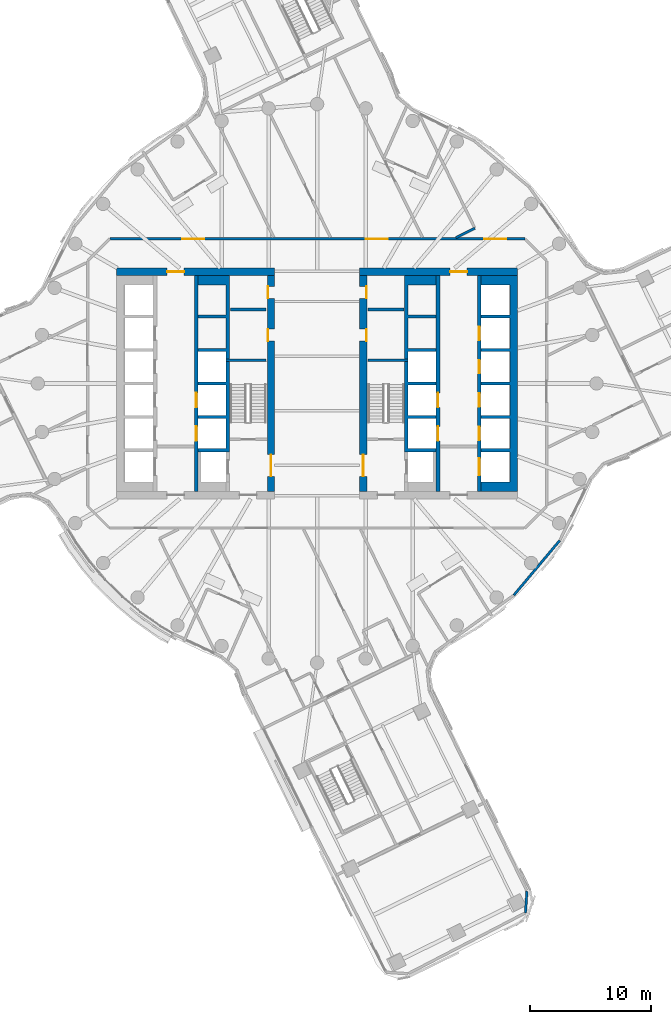
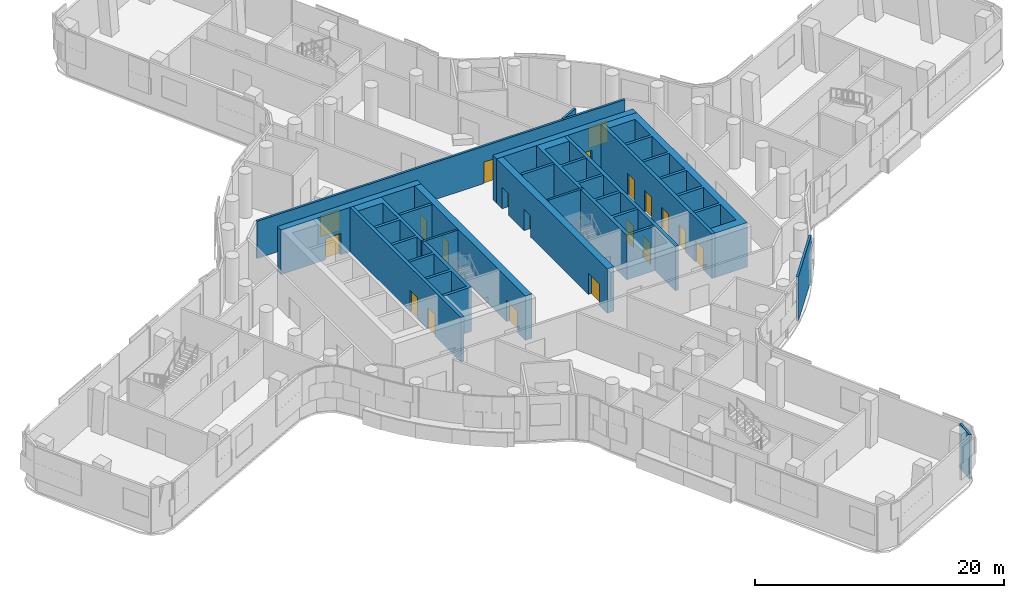
# One storey, part 13 of 23: 20 doors, 18 walls, 20 openings.
"""IFC4 building model written with IfcOpenShell, lengths in metres."""

from ifc_helpers import new_model, si_unit, direction, frame, frame_2d, origin, place, context, subcontext, project, spatial, polyline, rectangle, outline, extrude, material, layer, layer_set, type_object, element, fill, save


model = new_model("IFC4")

# Units and contexts
model_context = context("Model", 3, precision=1e-05, world=origin(), true_north=direction((0.0, 1.0)))
body_context = subcontext(model_context, "Body", "Model", "MODEL_VIEW")
ifc_project = project(units=[si_unit("LENGTHUNIT", "METRE"), si_unit("AREAUNIT", "SQUARE_METRE"), si_unit("VOLUMEUNIT", "CUBIC_METRE"), si_unit("PLANEANGLEUNIT", "RADIAN"), si_unit("MASSUNIT", "GRAM", prefix="KILO")], contexts=[model_context])

# Site, building, storey
site_placement = place(None, origin())
site = spatial("IfcSite", under=ifc_project, at=site_placement, CompositionType="ELEMENT")
building_placement = place(site_placement, origin())
building = spatial("IfcBuilding", under=site, at=building_placement, Name="Tamarind Cross Interchange Tower", CompositionType="ELEMENT")
storey_placement = place(building_placement, frame((0.0, 0.0, 128.5)))
storey = spatial("IfcBuildingStorey", under=building, at=storey_placement, Name="L31", CompositionType="ELEMENT", Elevation=128.5)

# Wall, opening, door
ifc_material_1 = material(Name="Concrete C70", Category="concrete")
ifc_layer_1 = layer(ifc_material_1, 0.60009765625)
ifc_layer_set_1 = layer_set([ifc_layer_1], Name="Concrete C70")
wall_type_1 = type_object("IfcWallType", Name="Core wall 600 mm Concrete C70", PredefinedType="SHEAR", material=ifc_layer_set_1)
wall_1_placement = place(storey_placement, frame((-16.5, 9.199951171875, 0.0), z_axis=(0.0, 0.0, 1.0), x_axis=(1.0, 0.0, 0.0)))
wall_1 = element("IfcWall", 1, at=wall_1_placement, inside=storey, type_object=wall_type_1, Name="Core wall CWL-L31-W-NE", PredefinedType="SHEAR", context=body_context, shape_type="SweptSolid", body=[
    extrude(rectangle(XDim=13.0, YDim=0.60009765625, at=frame_2d((6.5, 0.0))), origin(), (0.0, 0.0, 1.0), 4.360107421875),
])
opening_1_placement = place(wall_1_placement, frame((4.14990234375, 0.0, 0.0)))
opening_1 = element("IfcOpeningElement", 2, at=opening_1_placement, cuts=wall_1, Name="Opening DCW31", PredefinedType="OPENING", context=body_context, shape_type="SweptSolid", body=[
    extrude(rectangle(XDim=1.39990234375, YDim=2.10009765625, at=frame_2d((0.699951171875, 1.050048828125))), frame((0.0, 0.31005859375, 0.0), z_axis=(0.0, -1.0, 0.0), x_axis=(1.0, 0.0, 0.0)), (0.0, 0.0, 1.0), 0.6201171875),
])
ifc_material_2 = material(Name="Steel, fire-resisting", Category="steel")
door_type_1 = type_object("IfcDoorType", Name="Core fire door 1400 x 2100 FD90", OperationType="SINGLE_SWING_LEFT", PredefinedType="DOOR", material=ifc_material_2)
door_1_placement = place(opening_1_placement, origin())
door_1 = element("IfcDoor", 3, at=door_1_placement, inside=storey, type_object=door_type_1, Name="L31 lift hall exit door", OperationType="SINGLE_SWING_LEFT", OverallHeight=2.10009765625, OverallWidth=1.39990234375, PredefinedType="DOOR", context=body_context, shape_type="SweptSolid", body=[
    extrude(rectangle(XDim=1.39990234375, YDim=2.10009765625, at=frame_2d((0.699951171875, 1.050048828125))), frame((0.0, 0.02490234375, 0.0), z_axis=(0.0, -1.0, 0.0), x_axis=(1.0, 0.0, 0.0)), (0.0, 0.0, 1.0), 0.050048828125),
])
fill(opening_1, door_1)

# Wall, openings, doors
wall_2_placement = place(storey_placement, frame((-3.800048828125, -8.89990234375, 0.0), z_axis=(0.0, 0.0, 1.0), x_axis=(0.0, 1.0, 0.0)))
wall_2 = element("IfcWall", 4, at=wall_2_placement, inside=storey, type_object=wall_type_1, Name="Core wall CWL-L31-W-IN", PredefinedType="SHEAR", context=body_context, shape_type="SweptSolid", body=[
    extrude(rectangle(XDim=17.7998046875, YDim=0.60009765625, at=frame_2d((8.89990234375, 0.0))), origin(), (0.0, 0.0, 1.0), 4.360107421875),
])
opening_2_placement = place(wall_2_placement, frame((1.25, 0.0, 0.0)))
opening_2 = element("IfcOpeningElement", 5, at=opening_2_placement, cuts=wall_2, Name="Opening DCW4", PredefinedType="OPENING", context=body_context, shape_type="SweptSolid", body=[
    extrude(rectangle(XDim=1.800048828125, YDim=2.10009765625, at=frame_2d((0.89990234375, 1.050048828125))), frame((0.0, 0.31005859375, 0.0), z_axis=(0.0, -1.0, 0.0), x_axis=(1.0, 0.0, 0.0)), (0.0, 0.0, 1.0), 0.6201171875),
])
opening_3_placement = place(wall_2_placement, frame((12.37744140625, 0.0, 0.0)))
opening_3 = element("IfcOpeningElement", 6, at=opening_3_placement, cuts=wall_2, Name="Opening DCW5", PredefinedType="OPENING", context=body_context, shape_type="SweptSolid", body=[
    extrude(rectangle(XDim=1.0, YDim=2.10009765625, at=frame_2d((0.5, 1.050048828125))), frame((0.0, 0.31005859375, 0.0), z_axis=(0.0, -1.0, 0.0), x_axis=(1.0, 0.0, 0.0)), (0.0, 0.0, 1.0), 0.6201171875),
])
opening_4_placement = place(wall_2_placement, frame((15.902587890625, 0.0, 0.0)))
opening_4 = element("IfcOpeningElement", 7, at=opening_4_placement, cuts=wall_2, Name="Opening DCW5", PredefinedType="OPENING", context=body_context, shape_type="SweptSolid", body=[
    extrude(rectangle(XDim=1.0, YDim=2.10009765625, at=frame_2d((0.5, 1.050048828125))), frame((0.0, 0.31005859375, 0.0), z_axis=(0.0, -1.0, 0.0), x_axis=(1.0, 0.0, 0.0)), (0.0, 0.0, 1.0), 0.6201171875),
])
door_type_2 = type_object("IfcDoorType", Name="Core fire door 1000 x 2100 FD90", OperationType="SINGLE_SWING_LEFT", PredefinedType="DOOR", material=ifc_material_2)
door_2_placement = place(opening_3_placement, origin())
door_2 = element("IfcDoor", 8, at=door_2_placement, inside=storey, type_object=door_type_2, Name="L31 cleaner's store door", OperationType="SINGLE_SWING_LEFT", OverallHeight=2.10009765625, OverallWidth=1.0, PredefinedType="DOOR", context=body_context, shape_type="SweptSolid", body=[
    extrude(rectangle(XDim=1.0, YDim=2.10009765625, at=frame_2d((0.5, 1.050048828125))), frame((0.0, 0.27490234375, 0.0), z_axis=(0.0, -1.0, 0.0), x_axis=(1.0, 0.0, 0.0)), (0.0, 0.0, 1.0), 0.050048828125),
])
fill(opening_3, door_2)
door_3_placement = place(opening_4_placement, origin())
door_3 = element("IfcDoor", 9, at=door_3_placement, inside=storey, type_object=door_type_2, Name="L31 comms room door", OperationType="SINGLE_SWING_LEFT", OverallHeight=2.10009765625, OverallWidth=1.0, PredefinedType="DOOR", context=body_context, shape_type="SweptSolid", body=[
    extrude(rectangle(XDim=1.0, YDim=2.10009765625, at=frame_2d((0.5, 1.050048828125))), frame((0.0, 0.27490234375, 0.0), z_axis=(0.0, -1.0, 0.0), x_axis=(1.0, 0.0, 0.0)), (0.0, 0.0, 1.0), 0.050048828125),
])
fill(opening_4, door_3)
door_type_3 = type_object("IfcDoorType", Name="Core fire door 1800 x 2100 FD90", OperationType="SINGLE_SWING_LEFT", PredefinedType="DOOR", material=ifc_material_2)
door_4_placement = place(opening_2_placement, origin())
door_4 = element("IfcDoor", 10, at=door_4_placement, inside=storey, type_object=door_type_3, Name="L31 firefighting lobby door", OperationType="SINGLE_SWING_LEFT", OverallHeight=2.10009765625, OverallWidth=1.800048828125, PredefinedType="DOOR", context=body_context, shape_type="SweptSolid", body=[
    extrude(rectangle(XDim=1.800048828125, YDim=2.10009765625, at=frame_2d((0.89990234375, 1.050048828125))), frame((0.0, 0.02490234375, 0.0), z_axis=(0.0, -1.0, 0.0), x_axis=(1.0, 0.0, 0.0)), (0.0, 0.0, 1.0), 0.050048828125),
])
fill(opening_2, door_4)

# Wall
wall_3_placement = place(storey_placement, origin())
element("IfcWall", 11, at=wall_3_placement, inside=storey, type_object=wall_type_1, Name="Core wall CWL-L31-E-A", PredefinedType="SHEAR", context=body_context, shape_type="SweptSolid", body=[
    extrude(outline(polyline([(13.5, -8.89990234375), (15.89990234375, -8.89990234375), (16.5, -8.89990234375), (16.5, 8.89990234375), (15.89990234375, 8.89990234375), (13.5, 8.89990234375), (13.5, 8.125), (15.89990234375, 8.125), (15.89990234375, 5.625), (13.5, 5.625), (13.5, 5.375), (15.89990234375, 5.375), (15.89990234375, 2.875), (13.5, 2.875), (13.5, 2.625), (15.89990234375, 2.625), (15.89990234375, 0.125), (13.5, 0.125), (13.5, -0.125), (15.89990234375, -0.125), (15.89990234375, -2.625), (13.5, -2.625), (13.5, -2.875), (15.89990234375, -2.875), (15.89990234375, -5.375), (13.5, -5.375), (13.5, -5.625), (15.89990234375, -5.625), (15.89990234375, -8.125), (13.5, -8.125), (13.5, -8.89990234375)])), origin(), (0.0, 0.0, 1.0), 4.360107421875),
])

# Wall, opening, door
wall_4_placement = place(storey_placement, frame((16.5, 9.199951171875, 0.0), z_axis=(0.0, 0.0, 1.0), x_axis=(-1.0, 0.0, 0.0)))
wall_4 = element("IfcWall", 12, at=wall_4_placement, inside=storey, type_object=wall_type_1, Name="Core wall CWL-L31-E-NE", PredefinedType="SHEAR", context=body_context, shape_type="SweptSolid", body=[
    extrude(rectangle(XDim=13.0, YDim=0.60009765625, at=frame_2d((6.5, 0.0))), origin(), (0.0, 0.0, 1.0), 4.360107421875),
])
opening_5_placement = place(wall_4_placement, frame((4.14990234375, 0.0, 0.0)))
opening_5 = element("IfcOpeningElement", 13, at=opening_5_placement, cuts=wall_4, Name="Opening DCE31", PredefinedType="OPENING", context=body_context, shape_type="SweptSolid", body=[
    extrude(rectangle(XDim=1.39990234375, YDim=2.10009765625, at=frame_2d((0.699951171875, 1.050048828125))), frame((0.0, 0.31005859375, 0.0), z_axis=(0.0, -1.0, 0.0), x_axis=(1.0, 0.0, 0.0)), (0.0, 0.0, 1.0), 0.6201171875),
])
door_5_placement = place(opening_5_placement, origin())
door_5 = element("IfcDoor", 14, at=door_5_placement, inside=storey, type_object=door_type_1, Name="L31 lift hall exit door", OperationType="SINGLE_SWING_LEFT", OverallHeight=2.10009765625, OverallWidth=1.39990234375, PredefinedType="DOOR", context=body_context, shape_type="SweptSolid", body=[
    extrude(rectangle(XDim=1.39990234375, YDim=2.10009765625, at=frame_2d((0.699951171875, 1.050048828125))), frame((0.0, 0.02490234375, 0.0), z_axis=(0.0, -1.0, 0.0), x_axis=(1.0, 0.0, 0.0)), (0.0, 0.0, 1.0), 0.050048828125),
])
fill(opening_5, door_5)

# Wall, openings, doors
wall_5_placement = place(storey_placement, frame((3.800048828125, -8.89990234375, 0.0), z_axis=(0.0, 0.0, 1.0), x_axis=(0.0, 1.0, 0.0)))
wall_5 = element("IfcWall", 15, at=wall_5_placement, inside=storey, type_object=wall_type_1, Name="Core wall CWL-L31-E-IN", PredefinedType="SHEAR", context=body_context, shape_type="SweptSolid", body=[
    extrude(rectangle(XDim=17.7998046875, YDim=0.60009765625, at=frame_2d((8.89990234375, 0.0))), origin(), (0.0, 0.0, 1.0), 4.360107421875),
])
opening_6_placement = place(wall_5_placement, frame((1.25, 0.0, 0.0)))
opening_6 = element("IfcOpeningElement", 16, at=opening_6_placement, cuts=wall_5, Name="Opening DCE4", PredefinedType="OPENING", context=body_context, shape_type="SweptSolid", body=[
    extrude(rectangle(XDim=1.800048828125, YDim=2.10009765625, at=frame_2d((0.89990234375, 1.050048828125))), frame((0.0, 0.31005859375, 0.0), z_axis=(0.0, -1.0, 0.0), x_axis=(1.0, 0.0, 0.0)), (0.0, 0.0, 1.0), 0.6201171875),
])
opening_7_placement = place(wall_5_placement, frame((12.37744140625, 0.0, 0.0)))
opening_7 = element("IfcOpeningElement", 17, at=opening_7_placement, cuts=wall_5, Name="Opening DCE5", PredefinedType="OPENING", context=body_context, shape_type="SweptSolid", body=[
    extrude(rectangle(XDim=1.0, YDim=2.10009765625, at=frame_2d((0.5, 1.050048828125))), frame((0.0, 0.31005859375, 0.0), z_axis=(0.0, -1.0, 0.0), x_axis=(1.0, 0.0, 0.0)), (0.0, 0.0, 1.0), 0.6201171875),
])
opening_8_placement = place(wall_5_placement, frame((15.902587890625, 0.0, 0.0)))
opening_8 = element("IfcOpeningElement", 18, at=opening_8_placement, cuts=wall_5, Name="Opening DCE5", PredefinedType="OPENING", context=body_context, shape_type="SweptSolid", body=[
    extrude(rectangle(XDim=1.0, YDim=2.10009765625, at=frame_2d((0.5, 1.050048828125))), frame((0.0, 0.31005859375, 0.0), z_axis=(0.0, -1.0, 0.0), x_axis=(1.0, 0.0, 0.0)), (0.0, 0.0, 1.0), 0.6201171875),
])
door_6_placement = place(opening_7_placement, origin())
door_6 = element("IfcDoor", 19, at=door_6_placement, inside=storey, type_object=door_type_2, Name="L31 cleaner's store door", OperationType="SINGLE_SWING_LEFT", OverallHeight=2.10009765625, OverallWidth=1.0, PredefinedType="DOOR", context=body_context, shape_type="SweptSolid", body=[
    extrude(rectangle(XDim=1.0, YDim=2.10009765625, at=frame_2d((0.5, 1.050048828125))), frame((0.0, -0.22509765625, 0.0), z_axis=(0.0, -1.0, 0.0), x_axis=(1.0, 0.0, 0.0)), (0.0, 0.0, 1.0), 0.050048828125),
])
fill(opening_7, door_6)
door_7_placement = place(opening_8_placement, origin())
door_7 = element("IfcDoor", 20, at=door_7_placement, inside=storey, type_object=door_type_2, Name="L31 comms room door", OperationType="SINGLE_SWING_LEFT", OverallHeight=2.10009765625, OverallWidth=1.0, PredefinedType="DOOR", context=body_context, shape_type="SweptSolid", body=[
    extrude(rectangle(XDim=1.0, YDim=2.10009765625, at=frame_2d((0.5, 1.050048828125))), frame((0.0, -0.22509765625, 0.0), z_axis=(0.0, -1.0, 0.0), x_axis=(1.0, 0.0, 0.0)), (0.0, 0.0, 1.0), 0.050048828125),
])
fill(opening_8, door_7)
door_8_placement = place(opening_6_placement, origin())
door_8 = element("IfcDoor", 21, at=door_8_placement, inside=storey, type_object=door_type_3, Name="L31 firefighting lobby door", OperationType="SINGLE_SWING_LEFT", OverallHeight=2.10009765625, OverallWidth=1.800048828125, PredefinedType="DOOR", context=body_context, shape_type="SweptSolid", body=[
    extrude(rectangle(XDim=1.800048828125, YDim=2.10009765625, at=frame_2d((0.89990234375, 1.050048828125))), frame((0.0, 0.02490234375, 0.0), z_axis=(0.0, -1.0, 0.0), x_axis=(1.0, 0.0, 0.0)), (0.0, 0.0, 1.0), 0.050048828125),
])
fill(opening_6, door_8)

# Walls
ifc_layer_2 = layer(ifc_material_1, 0.199951171875)
ifc_layer_set_2 = layer_set([ifc_layer_2], Name="Concrete C70")
wall_type_2 = type_object("IfcWallType", Name="Core web wall 200 mm Concrete C70", PredefinedType="SHEAR", material=ifc_layer_set_2)
for number, where, z_axis, x_axis, name in (
    (22, (-7.5, 1.89990234375, 0.0), (0.0, 0.0, 1.0), (1.0, 0.0, 0.0), "Core wall CWL-L31-W-BD"),
    (23, (7.5, 1.89990234375, 0.0), (0.0, 0.0, 1.0), (-1.0, 0.0, 0.0), "Core wall CWL-L31-E-BD"),
):
    element("IfcWall", number, at=place(storey_placement, frame(where, z_axis=z_axis, x_axis=x_axis)), inside=storey, type_object=wall_type_2, Name=name, PredefinedType="SHEAR", context=body_context, shape_type="SweptSolid", body=[
        extrude(rectangle(XDim=3.300048828125, YDim=0.199951171875, at=frame_2d((1.64990234375, 0.0))), origin(), (0.0, 0.0, 1.0), 4.360107421875),
    ])
ifc_layer_3 = layer(ifc_material_1, 0.300048828125)
ifc_layer_set_3 = layer_set([ifc_layer_3], Name="Concrete C70")
wall_type_3 = type_object("IfcWallType", Name="Core web wall 300 mm Concrete C70", PredefinedType="SHEAR", material=ifc_layer_set_3)
wall_6_placement = place(storey_placement, origin())
element("IfcWall", 24, at=wall_6_placement, inside=storey, type_object=wall_type_3, Name="Core wall CWL-L31-W-BN", PredefinedType="SHEAR", context=body_context, shape_type="SweptSolid", body=[
    extrude(outline(polyline([(-9.800048828125, -5.375), (-9.800048828125, -5.625), (-7.5, -5.625), (-7.199951171875, -5.625), (-7.199951171875, 8.89990234375), (-7.5, 8.89990234375), (-9.800048828125, 8.89990234375), (-9.800048828125, 8.125), (-7.5, 8.125), (-7.5, 5.625), (-9.800048828125, 5.625), (-9.800048828125, 5.375), (-7.5, 5.375), (-7.5, 2.875), (-9.800048828125, 2.875), (-9.800048828125, 2.625), (-7.5, 2.625), (-7.5, 0.125), (-9.800048828125, 0.125), (-9.800048828125, -0.125), (-7.5, -0.125), (-7.5, -2.625), (-9.800048828125, -2.625), (-9.800048828125, -2.875), (-7.5, -2.875), (-7.5, -5.375), (-9.800048828125, -5.375)])), origin(), (0.0, 0.0, 1.0), 4.360107421875),
])

# Wall, openings, doors
wall_7_placement = place(storey_placement, frame((-9.949951171875, -8.89990234375, 0.0), z_axis=(0.0, 0.0, 1.0), x_axis=(0.0, 1.0, 0.0)))
wall_7 = element("IfcWall", 25, at=wall_7_placement, inside=storey, type_object=wall_type_3, Name="Core wall CWL-L31-W-LB", PredefinedType="SHEAR", context=body_context, shape_type="SweptSolid", body=[
    extrude(rectangle(XDim=17.7998046875, YDim=0.300048828125, at=frame_2d((8.89990234375, 0.0))), origin(), (0.0, 0.0, 1.0), 4.360107421875),
])
opening_9_placement = place(wall_7_placement, frame((4.175048828125, 0.0, 0.0)))
opening_9 = element("IfcOpeningElement", 26, at=opening_9_placement, cuts=wall_7, Name="Opening LD8L31", PredefinedType="OPENING", context=body_context, shape_type="SweptSolid", body=[
    extrude(rectangle(XDim=1.199951171875, YDim=2.10009765625, at=frame_2d((0.60009765625, 1.050048828125))), frame((0.0, 0.159912109375, 0.0), z_axis=(0.0, -1.0, 0.0), x_axis=(1.0, 0.0, 0.0)), (0.0, 0.0, 1.0), 0.320068359375),
])
opening_10_placement = place(wall_7_placement, frame((6.925048828125, 0.0, 0.0)))
opening_10 = element("IfcOpeningElement", 27, at=opening_10_placement, cuts=wall_7, Name="Opening LD9L31", PredefinedType="OPENING", context=body_context, shape_type="SweptSolid", body=[
    extrude(rectangle(XDim=1.199951171875, YDim=2.10009765625, at=frame_2d((0.60009765625, 1.050048828125))), frame((0.0, 0.159912109375, 0.0), z_axis=(0.0, -1.0, 0.0), x_axis=(1.0, 0.0, 0.0)), (0.0, 0.0, 1.0), 0.320068359375),
])
ifc_material_3 = material(Name="Stainless steel panel", Category="steel")
door_type_4 = type_object("IfcDoorType", Name="Lift landing door 1200 x 2100 E 120", OperationType="SLIDING_TO_LEFT", PredefinedType="DOOR", material=ifc_material_3)
door_9_placement = place(opening_9_placement, origin())
door_9 = element("IfcDoor", 28, at=door_9_placement, inside=storey, type_object=door_type_4, Name="L31 landing door LF8", OperationType="SLIDING_TO_LEFT", OverallHeight=2.10009765625, OverallWidth=1.199951171875, PredefinedType="DOOR", context=body_context, shape_type="SweptSolid", body=[
    extrude(rectangle(XDim=1.199951171875, YDim=2.10009765625, at=frame_2d((0.60009765625, 1.050048828125))), frame((0.0, 0.02490234375, 0.0), z_axis=(0.0, -1.0, 0.0), x_axis=(1.0, 0.0, 0.0)), (0.0, 0.0, 1.0), 0.050048828125),
])
fill(opening_9, door_9)
door_10_placement = place(opening_10_placement, origin())
door_10 = element("IfcDoor", 29, at=door_10_placement, inside=storey, type_object=door_type_4, Name="L31 landing door LF9", OperationType="SLIDING_TO_LEFT", OverallHeight=2.10009765625, OverallWidth=1.199951171875, PredefinedType="DOOR", context=body_context, shape_type="SweptSolid", body=[
    extrude(rectangle(XDim=1.199951171875, YDim=2.10009765625, at=frame_2d((0.60009765625, 1.050048828125))), frame((0.0, 0.02490234375, 0.0), z_axis=(0.0, -1.0, 0.0), x_axis=(1.0, 0.0, 0.0)), (0.0, 0.0, 1.0), 0.050048828125),
])
fill(opening_10, door_10)

# Wall
wall_8_placement = place(storey_placement, origin())
element("IfcWall", 30, at=wall_8_placement, inside=storey, type_object=wall_type_3, Name="Core wall CWL-L31-E-BN", PredefinedType="SHEAR", context=body_context, shape_type="SweptSolid", body=[
    extrude(outline(polyline([(9.800048828125, -5.375), (7.5, -5.375), (7.5, -2.875), (9.800048828125, -2.875), (9.800048828125, -2.625), (7.5, -2.625), (7.5, -0.125), (9.800048828125, -0.125), (9.800048828125, 0.125), (7.5, 0.125), (7.5, 2.625), (9.800048828125, 2.625), (9.800048828125, 2.875), (7.5, 2.875), (7.5, 5.375), (9.800048828125, 5.375), (9.800048828125, 5.625), (7.5, 5.625), (7.5, 8.125), (9.800048828125, 8.125), (9.800048828125, 8.89990234375), (7.5, 8.89990234375), (7.199951171875, 8.89990234375), (7.199951171875, -5.625), (7.5, -5.625), (9.800048828125, -5.625), (9.800048828125, -5.375)])), origin(), (0.0, 0.0, 1.0), 4.360107421875),
])

# Wall, openings, doors
wall_9_placement = place(storey_placement, frame((13.35009765625, -8.89990234375, 0.0), z_axis=(0.0, 0.0, 1.0), x_axis=(0.0, 1.0, 0.0)))
wall_9 = element("IfcWall", 31, at=wall_9_placement, inside=storey, type_object=wall_type_3, Name="Core wall CWL-L31-E-LA", PredefinedType="SHEAR", context=body_context, shape_type="SweptSolid", body=[
    extrude(rectangle(XDim=17.7998046875, YDim=0.300048828125, at=frame_2d((8.89990234375, 0.0))), origin(), (0.0, 0.0, 1.0), 4.360107421875),
])
opening_11_placement = place(wall_9_placement, frame((1.324951171875, 0.0, 0.0)))
opening_11 = element("IfcOpeningElement", 32, at=opening_11_placement, cuts=wall_9, Name="Opening LD13L31", PredefinedType="OPENING", context=body_context, shape_type="SweptSolid", body=[
    extrude(rectangle(XDim=1.39990234375, YDim=2.10009765625, at=frame_2d((0.699951171875, 1.050048828125))), frame((0.0, 0.159912109375, 0.0), z_axis=(0.0, -1.0, 0.0), x_axis=(1.0, 0.0, 0.0)), (0.0, 0.0, 1.0), 0.320068359375),
])
opening_12_placement = place(wall_9_placement, frame((4.22509765625, 0.0, 0.0)))
opening_12 = element("IfcOpeningElement", 33, at=opening_12_placement, cuts=wall_9, Name="Opening LD14L31", PredefinedType="OPENING", context=body_context, shape_type="SweptSolid", body=[
    extrude(rectangle(XDim=1.10009765625, YDim=2.10009765625, at=frame_2d((0.550048828125, 1.050048828125))), frame((0.0, 0.159912109375, 0.0), z_axis=(0.0, -1.0, 0.0), x_axis=(1.0, 0.0, 0.0)), (0.0, 0.0, 1.0), 0.320068359375),
])
opening_13_placement = place(wall_9_placement, frame((6.97509765625, 0.0, 0.0)))
opening_13 = element("IfcOpeningElement", 34, at=opening_13_placement, cuts=wall_9, Name="Opening LD15L31", PredefinedType="OPENING", context=body_context, shape_type="SweptSolid", body=[
    extrude(rectangle(XDim=1.10009765625, YDim=2.10009765625, at=frame_2d((0.550048828125, 1.050048828125))), frame((0.0, 0.159912109375, 0.0), z_axis=(0.0, -1.0, 0.0), x_axis=(1.0, 0.0, 0.0)), (0.0, 0.0, 1.0), 0.320068359375),
])
opening_14_placement = place(wall_9_placement, frame((9.72509765625, 0.0, 0.0)))
opening_14 = element("IfcOpeningElement", 35, at=opening_14_placement, cuts=wall_9, Name="Opening LD16L31", PredefinedType="OPENING", context=body_context, shape_type="SweptSolid", body=[
    extrude(rectangle(XDim=1.10009765625, YDim=2.10009765625, at=frame_2d((0.550048828125, 1.050048828125))), frame((0.0, 0.159912109375, 0.0), z_axis=(0.0, -1.0, 0.0), x_axis=(1.0, 0.0, 0.0)), (0.0, 0.0, 1.0), 0.320068359375),
])
opening_15_placement = place(wall_9_placement, frame((12.47509765625, 0.0, 0.0)))
opening_15 = element("IfcOpeningElement", 36, at=opening_15_placement, cuts=wall_9, Name="Opening LD17L31", PredefinedType="OPENING", context=body_context, shape_type="SweptSolid", body=[
    extrude(rectangle(XDim=1.10009765625, YDim=2.10009765625, at=frame_2d((0.550048828125, 1.050048828125))), frame((0.0, 0.159912109375, 0.0), z_axis=(0.0, -1.0, 0.0), x_axis=(1.0, 0.0, 0.0)), (0.0, 0.0, 1.0), 0.320068359375),
])
door_type_5 = type_object("IfcDoorType", Name="Lift landing door 1100 x 2100 E 120", OperationType="SLIDING_TO_LEFT", PredefinedType="DOOR", material=ifc_material_3)
door_11_placement = place(opening_12_placement, origin())
door_11 = element("IfcDoor", 37, at=door_11_placement, inside=storey, type_object=door_type_5, Name="L31 landing door LF14", OperationType="SLIDING_TO_LEFT", OverallHeight=2.10009765625, OverallWidth=1.10009765625, PredefinedType="DOOR", context=body_context, shape_type="SweptSolid", body=[
    extrude(rectangle(XDim=1.10009765625, YDim=2.10009765625, at=frame_2d((0.550048828125, 1.050048828125))), frame((0.0, 0.02490234375, 0.0), z_axis=(0.0, -1.0, 0.0), x_axis=(1.0, 0.0, 0.0)), (0.0, 0.0, 1.0), 0.050048828125),
])
fill(opening_12, door_11)
door_12_placement = place(opening_13_placement, origin())
door_12 = element("IfcDoor", 38, at=door_12_placement, inside=storey, type_object=door_type_5, Name="L31 landing door LF15", OperationType="SLIDING_TO_LEFT", OverallHeight=2.10009765625, OverallWidth=1.10009765625, PredefinedType="DOOR", context=body_context, shape_type="SweptSolid", body=[
    extrude(rectangle(XDim=1.10009765625, YDim=2.10009765625, at=frame_2d((0.550048828125, 1.050048828125))), frame((0.0, 0.02490234375, 0.0), z_axis=(0.0, -1.0, 0.0), x_axis=(1.0, 0.0, 0.0)), (0.0, 0.0, 1.0), 0.050048828125),
])
fill(opening_13, door_12)
door_13_placement = place(opening_14_placement, origin())
door_13 = element("IfcDoor", 39, at=door_13_placement, inside=storey, type_object=door_type_5, Name="L31 landing door LF16", OperationType="SLIDING_TO_LEFT", OverallHeight=2.10009765625, OverallWidth=1.10009765625, PredefinedType="DOOR", context=body_context, shape_type="SweptSolid", body=[
    extrude(rectangle(XDim=1.10009765625, YDim=2.10009765625, at=frame_2d((0.550048828125, 1.050048828125))), frame((0.0, 0.02490234375, 0.0), z_axis=(0.0, -1.0, 0.0), x_axis=(1.0, 0.0, 0.0)), (0.0, 0.0, 1.0), 0.050048828125),
])
fill(opening_14, door_13)
door_14_placement = place(opening_15_placement, origin())
door_14 = element("IfcDoor", 40, at=door_14_placement, inside=storey, type_object=door_type_5, Name="L31 landing door LF17", OperationType="SLIDING_TO_LEFT", OverallHeight=2.10009765625, OverallWidth=1.10009765625, PredefinedType="DOOR", context=body_context, shape_type="SweptSolid", body=[
    extrude(rectangle(XDim=1.10009765625, YDim=2.10009765625, at=frame_2d((0.550048828125, 1.050048828125))), frame((0.0, 0.02490234375, 0.0), z_axis=(0.0, -1.0, 0.0), x_axis=(1.0, 0.0, 0.0)), (0.0, 0.0, 1.0), 0.050048828125),
])
fill(opening_15, door_14)
door_type_6 = type_object("IfcDoorType", Name="Lift landing door 1400 x 2100 E 120", OperationType="SLIDING_TO_LEFT", PredefinedType="DOOR", material=ifc_material_3)
door_15_placement = place(opening_11_placement, origin())
door_15 = element("IfcDoor", 41, at=door_15_placement, inside=storey, type_object=door_type_6, Name="L31 landing door LF13", OperationType="SLIDING_TO_LEFT", OverallHeight=2.10009765625, OverallWidth=1.39990234375, PredefinedType="DOOR", context=body_context, shape_type="SweptSolid", body=[
    extrude(rectangle(XDim=1.39990234375, YDim=2.10009765625, at=frame_2d((0.699951171875, 1.050048828125))), frame((0.0, 0.02490234375, 0.0), z_axis=(0.0, -1.0, 0.0), x_axis=(1.0, 0.0, 0.0)), (0.0, 0.0, 1.0), 0.050048828125),
])
fill(opening_11, door_15)

wall_10_placement = place(storey_placement, frame((9.949951171875, -8.89990234375, 0.0), z_axis=(0.0, 0.0, 1.0), x_axis=(0.0, 1.0, 0.0)))
wall_10 = element("IfcWall", 42, at=wall_10_placement, inside=storey, type_object=wall_type_3, Name="Core wall CWL-L31-E-LB", PredefinedType="SHEAR", context=body_context, shape_type="SweptSolid", body=[
    extrude(rectangle(XDim=17.7998046875, YDim=0.300048828125, at=frame_2d((8.89990234375, 0.0))), origin(), (0.0, 0.0, 1.0), 4.360107421875),
])
opening_16_placement = place(wall_10_placement, frame((4.175048828125, 0.0, 0.0)))
opening_16 = element("IfcOpeningElement", 43, at=opening_16_placement, cuts=wall_10, Name="Opening LD20L31", PredefinedType="OPENING", context=body_context, shape_type="SweptSolid", body=[
    extrude(rectangle(XDim=1.199951171875, YDim=2.10009765625, at=frame_2d((0.60009765625, 1.050048828125))), frame((0.0, 0.159912109375, 0.0), z_axis=(0.0, -1.0, 0.0), x_axis=(1.0, 0.0, 0.0)), (0.0, 0.0, 1.0), 0.320068359375),
])
opening_17_placement = place(wall_10_placement, frame((6.925048828125, 0.0, 0.0)))
opening_17 = element("IfcOpeningElement", 44, at=opening_17_placement, cuts=wall_10, Name="Opening LD21L31", PredefinedType="OPENING", context=body_context, shape_type="SweptSolid", body=[
    extrude(rectangle(XDim=1.199951171875, YDim=2.10009765625, at=frame_2d((0.60009765625, 1.050048828125))), frame((0.0, 0.159912109375, 0.0), z_axis=(0.0, -1.0, 0.0), x_axis=(1.0, 0.0, 0.0)), (0.0, 0.0, 1.0), 0.320068359375),
])
door_16_placement = place(opening_16_placement, origin())
door_16 = element("IfcDoor", 45, at=door_16_placement, inside=storey, type_object=door_type_4, Name="L31 landing door LF20", OperationType="SLIDING_TO_LEFT", OverallHeight=2.10009765625, OverallWidth=1.199951171875, PredefinedType="DOOR", context=body_context, shape_type="SweptSolid", body=[
    extrude(rectangle(XDim=1.199951171875, YDim=2.10009765625, at=frame_2d((0.60009765625, 1.050048828125))), frame((0.0, 0.02490234375, 0.0), z_axis=(0.0, -1.0, 0.0), x_axis=(1.0, 0.0, 0.0)), (0.0, 0.0, 1.0), 0.050048828125),
])
fill(opening_16, door_16)
door_17_placement = place(opening_17_placement, origin())
door_17 = element("IfcDoor", 46, at=door_17_placement, inside=storey, type_object=door_type_4, Name="L31 landing door LF21", OperationType="SLIDING_TO_LEFT", OverallHeight=2.10009765625, OverallWidth=1.199951171875, PredefinedType="DOOR", context=body_context, shape_type="SweptSolid", body=[
    extrude(rectangle(XDim=1.199951171875, YDim=2.10009765625, at=frame_2d((0.60009765625, 1.050048828125))), frame((0.0, 0.02490234375, 0.0), z_axis=(0.0, -1.0, 0.0), x_axis=(1.0, 0.0, 0.0)), (0.0, 0.0, 1.0), 0.050048828125),
])
fill(opening_17, door_17)

ifc_material_4 = material(Name="Gypsum board partition on steel studs", Category="steel")
ifc_layer_4 = layer(ifc_material_4, 0.199951171875)
ifc_layer_set_4 = layer_set([ifc_layer_4], Name="Gypsum board partition on steel studs")
wall_type_4 = type_object("IfcWallType", Name="Partition 200 mm EI 180", PredefinedType="PARTITIONING", material=ifc_layer_set_4)
wall_11_placement = place(storey_placement, frame((-17.044921875, 11.89990234375, 0.0), z_axis=(0.0, 0.0, 1.0), x_axis=(1.0, 0.0, 0.0)))
wall_11 = element("IfcWall", 47, at=wall_11_placement, inside=storey, type_object=wall_type_4, Name="Partition L31-035", PredefinedType="PARTITIONING", context=body_context, shape_type="SweptSolid", body=[
    extrude(rectangle(XDim=34.14501953125, YDim=0.199951171875, at=frame_2d((17.072509765625, 0.0))), origin(), (0.0, 0.0, 1.0), 3.659912109375),
])
opening_18_placement = place(wall_11_placement, frame((21.06103515625, 0.0, 0.0)))
opening_18 = element("IfcOpeningElement", 48, at=opening_18_placement, cuts=wall_11, Name="Opening D20", PredefinedType="OPENING", context=body_context, shape_type="SweptSolid", body=[
    extrude(rectangle(XDim=1.800048828125, YDim=2.10009765625, at=frame_2d((0.89990234375, 1.050048828125))), frame((0.0, 0.10986328125, 0.0), z_axis=(0.0, -1.0, 0.0), x_axis=(1.0, 0.0, 0.0)), (0.0, 0.0, 1.0), 0.219970703125),
])
opening_19_placement = place(wall_11_placement, frame((30.7958984375, 0.0, 0.0)))
opening_19 = element("IfcOpeningElement", 49, at=opening_19_placement, cuts=wall_11, Name="Opening D21", PredefinedType="OPENING", context=body_context, shape_type="SweptSolid", body=[
    extrude(rectangle(XDim=1.800048828125, YDim=2.10009765625, at=frame_2d((0.89990234375, 1.050048828125))), frame((0.0, 0.10986328125, 0.0), z_axis=(0.0, -1.0, 0.0), x_axis=(1.0, 0.0, 0.0)), (0.0, 0.0, 1.0), 0.219970703125),
])
opening_20_placement = place(wall_11_placement, frame((5.945068359375, 0.0, 0.0)))
opening_20 = element("IfcOpeningElement", 50, at=opening_20_placement, cuts=wall_11, Name="Opening D22", PredefinedType="OPENING", context=body_context, shape_type="SweptSolid", body=[
    extrude(rectangle(XDim=1.800048828125, YDim=2.10009765625, at=frame_2d((0.89990234375, 1.050048828125))), frame((0.0, 0.10986328125, 0.0), z_axis=(0.0, -1.0, 0.0), x_axis=(1.0, 0.0, 0.0)), (0.0, 0.0, 1.0), 0.219970703125),
])
ifc_material_5 = material(Name="Fire-resisting door set")
door_type_7 = type_object("IfcDoorType", Name="Interior door 1800 x 2100 FD120S", OperationType="DOUBLE_DOOR_SINGLE_SWING", PredefinedType="DOOR", material=ifc_material_5)
door_18_placement = place(opening_18_placement, frame((1.800048828125, 0.0, 0.0), z_axis=(0.0, 0.0, 1.0), x_axis=(-1.0, 0.0, 0.0)))
door_18 = element("IfcDoor", 51, at=door_18_placement, inside=storey, type_object=door_type_7, Name="Door D20", OperationType="DOUBLE_DOOR_SINGLE_SWING", OverallHeight=2.10009765625, OverallWidth=1.800048828125, PredefinedType="DOOR", context=body_context, shape_type="SweptSolid", body=[
    extrude(rectangle(XDim=1.800048828125, YDim=2.10009765625, at=frame_2d((0.89990234375, 1.050048828125))), frame((0.0, 0.02490234375, 0.0), z_axis=(0.0, -1.0, 0.0), x_axis=(1.0, 0.0, 0.0)), (0.0, 0.0, 1.0), 0.050048828125),
])
fill(opening_18, door_18)
door_19_placement = place(opening_19_placement, origin())
door_19 = element("IfcDoor", 52, at=door_19_placement, inside=storey, type_object=door_type_7, Name="Door D21", OperationType="DOUBLE_DOOR_SINGLE_SWING", OverallHeight=2.10009765625, OverallWidth=1.800048828125, PredefinedType="DOOR", context=body_context, shape_type="SweptSolid", body=[
    extrude(rectangle(XDim=1.800048828125, YDim=2.10009765625, at=frame_2d((0.89990234375, 1.050048828125))), frame((0.0, 0.02490234375, 0.0), z_axis=(0.0, -1.0, 0.0), x_axis=(1.0, 0.0, 0.0)), (0.0, 0.0, 1.0), 0.050048828125),
])
fill(opening_19, door_19)
door_20_placement = place(opening_20_placement, origin())
door_20 = element("IfcDoor", 53, at=door_20_placement, inside=storey, type_object=door_type_7, Name="Door D22", OperationType="DOUBLE_DOOR_SINGLE_SWING", OverallHeight=2.10009765625, OverallWidth=1.800048828125, PredefinedType="DOOR", context=body_context, shape_type="SweptSolid", body=[
    extrude(rectangle(XDim=1.800048828125, YDim=2.10009765625, at=frame_2d((0.89990234375, 1.050048828125))), frame((0.0, 0.02490234375, 0.0), z_axis=(0.0, -1.0, 0.0), x_axis=(1.0, 0.0, 0.0)), (0.0, 0.0, 1.0), 0.050048828125),
])
fill(opening_20, door_20)

# Walls
wall_12_placement = place(storey_placement, frame((11.41650390625, 12.005615234375, 0.0), z_axis=(0.0, 0.0, 1.0), x_axis=(0.897834179061, 0.440333722204, 0.0)))
element("IfcWall", 54, at=wall_12_placement, inside=storey, type_object=wall_type_4, Name="Partition L31-059", PredefinedType="PARTITIONING", context=body_context, shape_type="SweptSolid", body=[
    extrude(rectangle(XDim=1.749267578125, YDim=0.199951171875, at=frame_2d((0.87451171875, 0.0))), origin(), (0.0, 0.0, 1.0), 3.659912109375),
])
ifc_material_6 = material(Name="Precast concrete C40", Category="concrete")
ifc_layer_5 = layer(ifc_material_6, 0.199951171875)
ifc_layer_set_5 = layer_set([ifc_layer_5], Name="Precast concrete C40")
wall_type_5 = type_object("IfcWallType", Name="Refuge level external wall", PredefinedType="SOLIDWALL", material=ifc_layer_set_5)
wall_13_placement = place(storey_placement, frame((17.15185546875, -43.586669921875, 0.0), z_axis=(0.0, 0.0, 1.0), x_axis=(0.069376144823, 0.997590572595, 0.0)))
element("IfcWall", 55, at=wall_13_placement, inside=storey, type_object=wall_type_5, Name="RFW-L31-04-01", PredefinedType="SOLIDWALL", context=body_context, shape_type="SweptSolid", body=[
    extrude(rectangle(XDim=1.78076171875, YDim=0.199951171875, at=frame_2d((0.890380859375, 0.0))), origin(), (0.0, 0.0, 1.0), 4.360107421875),
])
wall_14_placement = place(storey_placement, frame((16.191650390625, -17.4375, 0.0), z_axis=(0.0, 0.0, 1.0), x_axis=(0.643011155171, 0.765856810589, 0.0)))
element("IfcWall", 56, at=wall_14_placement, inside=storey, type_object=wall_type_5, Name="RFW-L31-06-04", PredefinedType="SOLIDWALL", context=body_context, shape_type="SweptSolid", body=[
    extrude(rectangle(XDim=5.88671875, YDim=0.199951171875, at=frame_2d((2.943359375, 0.0))), origin(), (0.0, 0.0, 1.0), 4.360107421875),
])
ifc_material_7 = material(Name="Concrete C40", Category="concrete")
ifc_layer_6 = layer(ifc_material_7, 0.25)
ifc_layer_set_6 = layer_set([ifc_layer_6], Name="Concrete C40")
wall_type_6 = type_object("IfcWallType", Name="Shaft and lobby wall 250 mm Concrete C40", PredefinedType="PARTITIONING", material=ifc_layer_set_6)
for number, where, z_axis, x_axis, name in (
    (57, (-7.14990234375, 6.080078125, 0.0), (0.0, 0.0, 1.0), (1.0, 0.0, 0.0), "Shaft wall CWL-L31-W-SVP"),
    (58, (7.14990234375, 6.080078125, 0.0), (0.0, 0.0, 1.0), (-1.0, 0.0, 0.0), "Shaft wall CWL-L31-E-SVP"),
):
    element("IfcWall", number, at=place(storey_placement, frame(where, z_axis=z_axis, x_axis=x_axis)), inside=storey, type_object=wall_type_6, Name=name, PredefinedType="PARTITIONING", context=body_context, shape_type="SweptSolid", body=[
        extrude(rectangle(XDim=2.949951171875, YDim=0.25, at=frame_2d((1.47509765625, 0.0))), origin(), (0.0, 0.0, 1.0), 4.360107421875),
    ])

save(model, "model.ifc")
